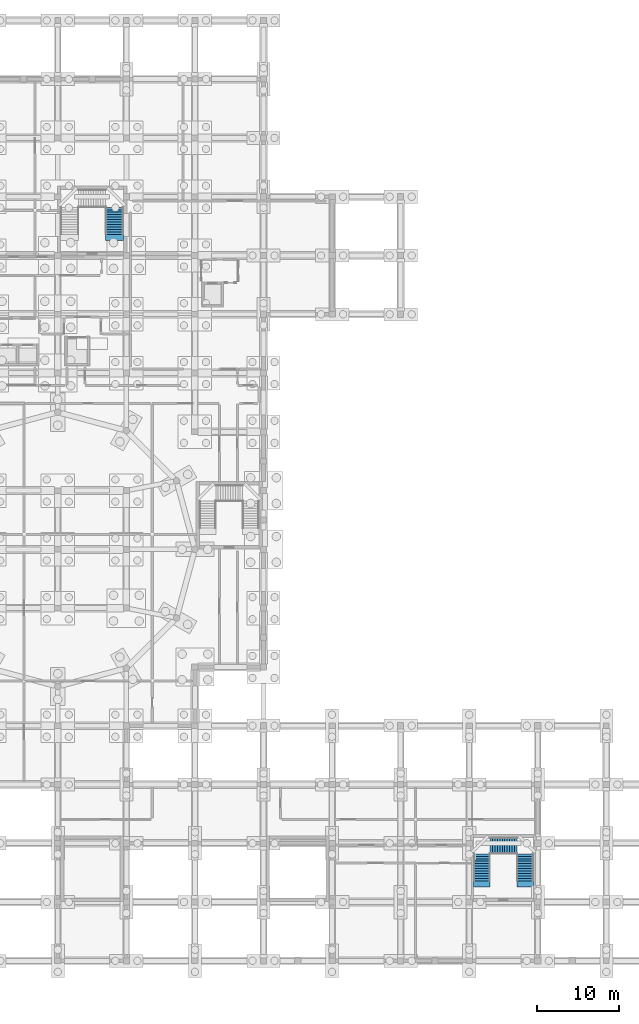
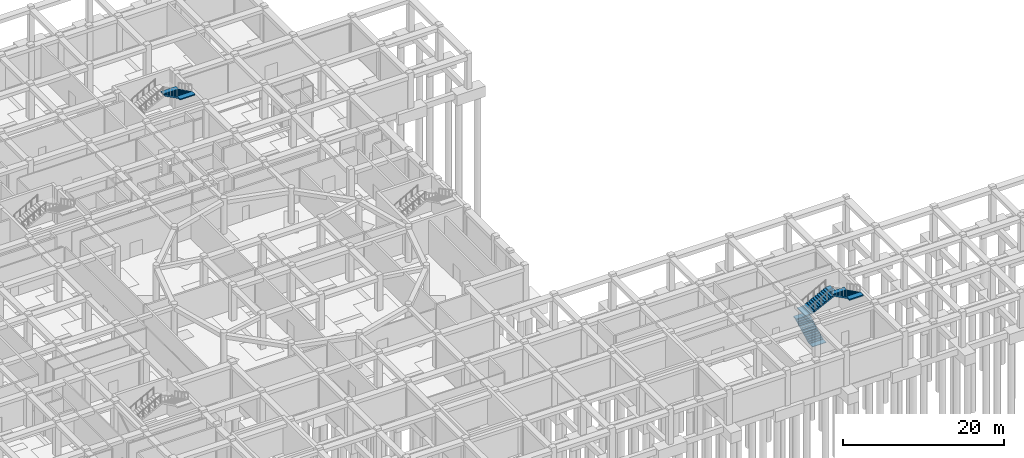
# One storey, part 29 of 32: 4 stair flights, 2 elements without a shape of their own.
"""IFC4 building model written with IfcOpenShell, lengths in metres."""

from ifc_helpers import new_model, si_unit, derived_unit, direction, frame, origin, place, context, subcontext, project, spatial, polyline, outline, extrude, material, type_object, element, aggregate, save


model = new_model("IFC4")

# Units and contexts
model_context = context("Model", 3, precision=1e-05, world=origin(), true_north=direction((0.0, 1.0)))
body_context = subcontext(model_context, "Body", "Model", "MODEL_VIEW")
ifc_project = project(units=[si_unit("LENGTHUNIT", "METRE"), si_unit("AREAUNIT", "SQUARE_METRE"), si_unit("VOLUMEUNIT", "CUBIC_METRE"), si_unit("PLANEANGLEUNIT", "RADIAN"), si_unit("MASSUNIT", "GRAM", prefix="KILO"), derived_unit("THERMALTRANSMITTANCEUNIT", [(si_unit("POWERUNIT", "WATT"), 1), (si_unit("LENGTHUNIT", "METRE"), -2), (si_unit("THERMODYNAMICTEMPERATUREUNIT", "KELVIN"), -1)])], contexts=[model_context])

# Site, building, storey
site_placement = place(None, origin())
site = spatial("IfcSite", under=ifc_project, at=site_placement, CompositionType="ELEMENT")
building_placement = place(site_placement, origin())
building = spatial("IfcBuilding", under=site, at=building_placement, Name="Veybourne Emporium", CompositionType="ELEMENT")
storey_placement = place(building_placement, frame((0.0, 0.0, -5.39990234375)))
storey = spatial("IfcBuildingStorey", under=building, at=storey_placement, Name="B1", CompositionType="ELEMENT", Elevation=-5.39990234375)

# Stair, stair flights
ifc_material = material(Name="Concrete C32/40", Category="concrete")
stair_type_1 = type_object("IfcStairType", Name="Stair_ST-06-R36", PredefinedType="TWO_QUARTER_TURN_STAIR", material=ifc_material)
stair_1_placement = place(storey_placement, origin())
stair_1 = element("IfcStair", 1, at=stair_1_placement, inside=storey, type_object=stair_type_1, Name="B1 stair ST-06", PredefinedType="TWO_QUARTER_TURN_STAIR")
stair_flight_type_1 = type_object("IfcStairFlightType", Name="Flight_FL-2000-R12", PredefinedType="STRAIGHT", material=ifc_material)
stair_flight_1_placement = place(storey_placement, frame((127.550048828125, 9.800048828125, 0.0), z_axis=(0.0, 0.0, 1.0), x_axis=(0.0, 1.0, 0.0)))
stair_flight_1 = element("IfcStairFlight", 2, at=stair_flight_1_placement, type_object=stair_flight_type_1, Name="ST-06-R36 flight 1", NumberOfRisers=12, NumberOfTreads=11, PredefinedType="STRAIGHT", RiserHeight=0.15, TreadLength=0.3, context=body_context, shape_type="SweptSolid", body=[
    extrude(outline(polyline([(-0.75, 0.0), (-0.75, 0.080078125), (-0.375, 0.080078125), (0.0, 0.080078125), (0.0, 0.14990234375), (0.300048828125, 0.14990234375), (0.300048828125, 0.300048828125), (0.60009765625, 0.300048828125), (0.60009765625, 0.449951171875), (0.89990234375, 0.449951171875), (0.89990234375, 0.60009765625), (1.199951171875, 0.60009765625), (1.199951171875, 0.75), (1.5, 0.75), (1.5, 0.89990234375), (1.800048828125, 0.89990234375), (1.800048828125, 1.050048828125), (2.10009765625, 1.050048828125), (2.10009765625, 1.199951171875), (2.39990234375, 1.199951171875), (2.39990234375, 1.35009765625), (2.699951171875, 1.35009765625), (2.699951171875, 1.5), (3.0, 1.5), (3.0, 1.64990234375), (3.300048828125, 1.64990234375), (3.300048828125, 1.800048828125), (3.675048828125, 1.800048828125), (4.050048828125, 1.800048828125), (4.050048828125, 1.639892578125), (3.675048828125, 1.639892578125), (3.300048828125, 1.47119140625), (0.357666015625, 0.0), (-0.75, 0.0)])), frame((0.0, 1.0, 0.0), z_axis=(0.0, -1.0, 0.0), x_axis=(1.0, 0.0, 0.0)), (0.0, 0.0, 1.0), 2.0),
])
stair_flight_2_placement = place(storey_placement, frame((128.550048828125, 14.10009765625, 1.7998046875), z_axis=(0.0, 0.0, 1.0), x_axis=(1.0, 0.0, 0.0)))
stair_flight_2 = element("IfcStairFlight", 3, at=stair_flight_2_placement, type_object=stair_flight_type_1, Name="ST-06-R36 flight 2", NumberOfRisers=12, NumberOfTreads=11, PredefinedType="STRAIGHT", RiserHeight=0.15, TreadLength=0.3, context=body_context, shape_type="SweptSolid", body=[
    extrude(outline(polyline([(-0.75, 0.0), (-0.75, 0.080078125), (-0.375, 0.080078125), (0.0, 0.080078125), (0.0, 0.14990234375), (0.300048828125, 0.14990234375), (0.300048828125, 0.300048828125), (0.60009765625, 0.300048828125), (0.60009765625, 0.449951171875), (0.89990234375, 0.449951171875), (0.89990234375, 0.60009765625), (1.199951171875, 0.60009765625), (1.199951171875, 0.75), (1.5, 0.75), (1.5, 0.89990234375), (1.800048828125, 0.89990234375), (1.800048828125, 1.050048828125), (2.10009765625, 1.050048828125), (2.10009765625, 1.199951171875), (2.39990234375, 1.199951171875), (2.39990234375, 1.35009765625), (2.699951171875, 1.35009765625), (2.699951171875, 1.5), (3.0, 1.5), (3.0, 1.64990234375), (3.300048828125, 1.64990234375), (3.300048828125, 1.800048828125), (3.675048828125, 1.800048828125), (4.050048828125, 1.800048828125), (4.050048828125, 1.639892578125), (3.675048828125, 1.639892578125), (3.300048828125, 1.47119140625), (0.357666015625, 0.0), (-0.75, 0.0)])), frame((0.0, 1.0, 0.0), z_axis=(0.0, -1.0, 0.0), x_axis=(1.0, 0.0, 0.0)), (0.0, 0.0, 1.0), 2.0),
])
stair_flight_3_placement = place(storey_placement, frame((132.85009765625, 13.10009765625, 3.599853515625), z_axis=(0.0, 0.0, 1.0), x_axis=(0.0, -1.0, 0.0)))
stair_flight_3 = element("IfcStairFlight", 4, at=stair_flight_3_placement, type_object=stair_flight_type_1, Name="ST-06-R36 flight 3", NumberOfRisers=12, NumberOfTreads=11, PredefinedType="STRAIGHT", RiserHeight=0.15, TreadLength=0.3, context=body_context, shape_type="SweptSolid", body=[
    extrude(outline(polyline([(-0.75, 0.0), (-0.75, 0.080078125), (-0.375, 0.080078125), (0.0, 0.080078125), (0.0, 0.14990234375), (0.300048828125, 0.14990234375), (0.300048828125, 0.300048828125), (0.60009765625, 0.300048828125), (0.60009765625, 0.449951171875), (0.89990234375, 0.449951171875), (0.89990234375, 0.60009765625), (1.199951171875, 0.60009765625), (1.199951171875, 0.75), (1.5, 0.75), (1.5, 0.89990234375), (1.800048828125, 0.89990234375), (1.800048828125, 1.050048828125), (2.10009765625, 1.050048828125), (2.10009765625, 1.199951171875), (2.39990234375, 1.199951171875), (2.39990234375, 1.35009765625), (2.699951171875, 1.35009765625), (2.699951171875, 1.5), (3.0, 1.5), (3.0, 1.64990234375), (3.300048828125, 1.64990234375), (3.300048828125, 1.800048828125), (3.675048828125, 1.800048828125), (4.050048828125, 1.800048828125), (4.050048828125, 1.639892578125), (3.675048828125, 1.639892578125), (3.300048828125, 1.47119140625), (0.357666015625, 0.0), (-0.75, 0.0)])), frame((0.0, 1.0, 0.0), z_axis=(0.0, -1.0, 0.0), x_axis=(1.0, 0.0, 0.0)), (0.0, 0.0, 1.0), 2.0),
])
aggregate(stair_1, [stair_flight_1, stair_flight_2, stair_flight_3])

# Stair, stair flight
stair_type_2 = type_object("IfcStairType", Name="Stair_ST-04-R36", PredefinedType="TWO_QUARTER_TURN_STAIR", material=ifc_material)
stair_2_placement = place(storey_placement, origin())
stair_2 = element("IfcStair", 5, at=stair_2_placement, inside=storey, type_object=stair_type_2, Name="B1 stair ST-04", PredefinedType="TWO_QUARTER_TURN_STAIR")
stair_flight_type_2 = type_object("IfcStairFlightType", Name="Flight_FL-2200-R12", PredefinedType="STRAIGHT", material=ifc_material)
stair_flight_4_placement = place(storey_placement, frame((82.550048828125, 92.300048828125, 3.599853515625), z_axis=(0.0, 0.0, 1.0), x_axis=(0.0, -1.0, 0.0)))
stair_flight_4 = element("IfcStairFlight", 6, at=stair_flight_4_placement, type_object=stair_flight_type_2, Name="ST-04-R36 flight 3", NumberOfRisers=12, NumberOfTreads=11, PredefinedType="STRAIGHT", RiserHeight=0.15, TreadLength=0.3, context=body_context, shape_type="SweptSolid", body=[
    extrude(outline(polyline([(-0.75, 0.0), (-0.75, 0.080078125), (-0.375, 0.080078125), (0.0, 0.080078125), (0.0, 0.14990234375), (0.300048828125, 0.14990234375), (0.300048828125, 0.300048828125), (0.60009765625, 0.300048828125), (0.60009765625, 0.449951171875), (0.89990234375, 0.449951171875), (0.89990234375, 0.60009765625), (1.199951171875, 0.60009765625), (1.199951171875, 0.75), (1.5, 0.75), (1.5, 0.89990234375), (1.800048828125, 0.89990234375), (1.800048828125, 1.050048828125), (2.10009765625, 1.050048828125), (2.10009765625, 1.199951171875), (2.39990234375, 1.199951171875), (2.39990234375, 1.35009765625), (2.699951171875, 1.35009765625), (2.699951171875, 1.5), (3.0, 1.5), (3.0, 1.64990234375), (3.300048828125, 1.64990234375), (3.300048828125, 1.800048828125), (3.675048828125, 1.800048828125), (4.050048828125, 1.800048828125), (4.050048828125, 1.639892578125), (3.675048828125, 1.639892578125), (3.300048828125, 1.47119140625), (0.357666015625, 0.0), (-0.75, 0.0)])), frame((0.0, 1.10009765625, 0.0), z_axis=(0.0, -1.0, 0.0), x_axis=(1.0, 0.0, 0.0)), (0.0, 0.0, 1.0), 2.199951171875),
])
aggregate(stair_2, [stair_flight_4])

save(model, "model.ifc")
